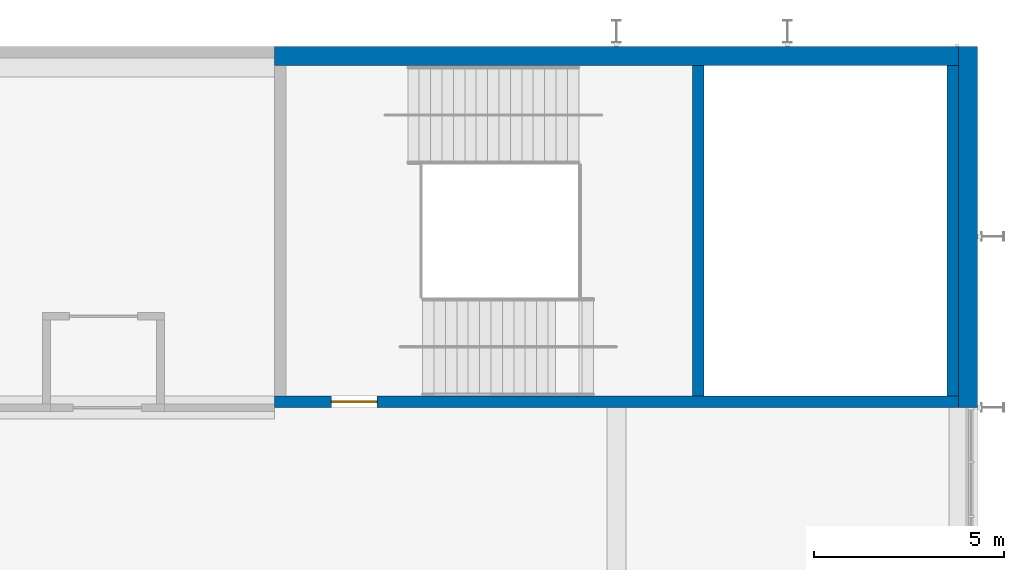
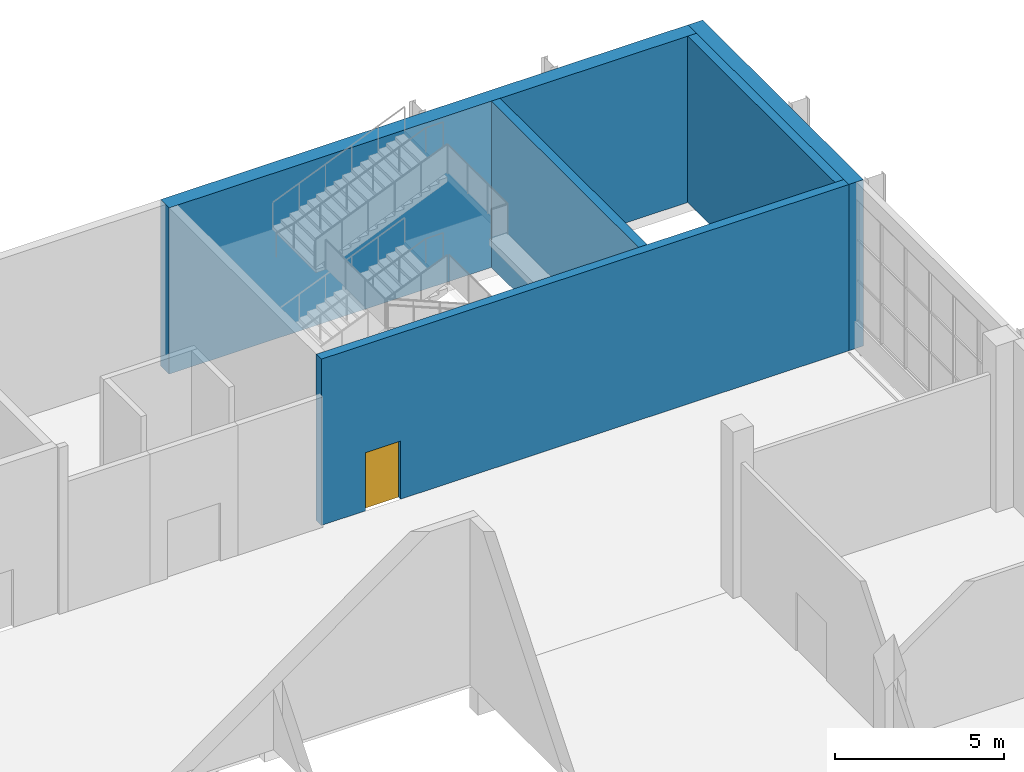
# One storey, part 49 of 89: 5 walls, 1 door, 1 opening.
"""IFC4 building model written with IfcOpenShell, lengths in metres."""

from ifc_helpers import new_model, si_unit, direction, frame, frame_2d, origin, place, context, subcontext, project, spatial, rectangle, extrude, material, layer, layer_set, type_object, element, fill, save


model = new_model("IFC4")

# Units and contexts
model_context = context("Model", 3, precision=1e-05, world=origin(), true_north=direction((0.0, 1.0)))
body_context = subcontext(model_context, "Body", "Model", "MODEL_VIEW")
ifc_project = project(units=[si_unit("LENGTHUNIT", "METRE"), si_unit("AREAUNIT", "SQUARE_METRE"), si_unit("VOLUMEUNIT", "CUBIC_METRE"), si_unit("PLANEANGLEUNIT", "RADIAN"), si_unit("MASSUNIT", "GRAM", prefix="KILO")], contexts=[model_context])

# Site, building, storey
site_placement = place(None, origin())
site = spatial("IfcSite", under=ifc_project, at=site_placement, CompositionType="ELEMENT")
building_placement = place(site_placement, origin())
building = spatial("IfcBuilding", under=site, at=building_placement, Name="Silverbay Arena", CompositionType="ELEMENT")
storey_placement = place(building_placement, frame((0.0, 0.0, 22.0)))
storey = spatial("IfcBuildingStorey", under=building, at=storey_placement, Name="L03", CompositionType="ELEMENT", Elevation=22.0)

# Wall, opening, door
ifc_material_1 = material(Name="Concrete Grade C45", Category="concrete")
ifc_layer_1 = layer(ifc_material_1, 0.300048828125)
ifc_layer_set_1 = layer_set([ifc_layer_1], Name="Concrete Grade C45")
wall_type_1 = type_object("IfcWallType", Name="Core wall RC 300 EI 120", PredefinedType="SHEAR", material=ifc_layer_set_1)
wall_1_placement = place(storey_placement, frame((189.0, 135.14990234375, 0.0), z_axis=(0.0, 0.0, 1.0), x_axis=(1.0, 0.0, 0.0)))
wall_1 = element("IfcWall", 1, at=wall_1_placement, inside=storey, type_object=wall_type_1, Name="Core wall ST-N6 L03 door side", PredefinedType="SHEAR", context=body_context, shape_type="SweptSolid", body=[
    extrude(rectangle(XDim=18.0, YDim=0.300048828125, at=frame_2d((9.0, 0.0))), origin(), (0.0, 0.0, 1.0), 6.0),
])
opening_placement = place(wall_1_placement, frame((1.5, 0.0, 0.0)))
opening = element("IfcOpeningElement", 2, at=opening_placement, cuts=wall_1, Name="Opening L03-064", PredefinedType="OPENING", context=body_context, shape_type="SweptSolid", body=[
    extrude(rectangle(XDim=1.199951171875, YDim=2.10009765625, at=frame_2d((0.60009765625, 1.050048828125))), frame((0.0, 0.16015625, 0.0), z_axis=(0.0, -1.0, 0.0), x_axis=(1.0, 0.0, 0.0)), (0.0, 0.0, 1.0), 0.320068359375),
])
ifc_material_2 = material(Name="Steel fire door", Category="steel")
door_type = type_object("IfcDoorType", Name="Stair door 1200 x 2100 fire door", OperationType="SINGLE_SWING_LEFT", PredefinedType="DOOR", material=ifc_material_2)
door_placement = place(opening_placement, origin())
door = element("IfcDoor", 3, at=door_placement, inside=storey, type_object=door_type, Name="Stair door ST-N6 L03", OperationType="SINGLE_SWING_LEFT", OverallHeight=2.10009765625, OverallWidth=1.199951171875, PredefinedType="DOOR", context=body_context, shape_type="SweptSolid", body=[
    extrude(rectangle(XDim=1.199951171875, YDim=2.10009765625, at=frame_2d((0.60009765625, 1.050048828125))), frame((0.0, 0.02490234375, 0.0), z_axis=(0.0, -1.0, 0.0), x_axis=(1.0, 0.0, 0.0)), (0.0, 0.0, 1.0), 0.050048828125),
])
fill(opening, door)

# Walls
for number, where, z_axis, x_axis, name in (
    (4, (206.85009765625, 135.300048828125, 0.0), (0.0, 0.0, 1.0), (0.0, 1.0, 0.0), "Core wall ST-N6 L03 end 2"),
    (5, (200.14990234375, 135.300048828125, 0.0), (0.0, 0.0, 1.0), (0.0, 1.0, 0.0), "Core wall ST-N6 L03 stair enclosure"),
):
    element("IfcWall", number, at=place(storey_placement, frame(where, z_axis=z_axis, x_axis=x_axis)), inside=storey, type_object=wall_type_1, Name=name, PredefinedType="SHEAR", context=body_context, shape_type="SweptSolid", body=[
        extrude(rectangle(XDim=8.699951171875, YDim=0.300048828125, at=frame_2d((4.35009765625, 0.0))), origin(), (0.0, 0.0, 1.0), 6.0),
    ])
ifc_material_3 = material(Name="Concrete Grade C45", Category="concrete")
ifc_layer_2 = layer(ifc_material_3, 0.5)
ifc_layer_set_2 = layer_set([ifc_layer_2], Name="Concrete Grade C45")
wall_type_2 = type_object("IfcWallType", Name="Core wall RC 500 external EI 120", PredefinedType="SHEAR", material=ifc_layer_set_2)
wall_2_placement = place(storey_placement, frame((189.0, 144.25, 0.0), z_axis=(0.0, 0.0, 1.0), x_axis=(1.0, 0.0, 0.0)))
element("IfcWall", 6, at=wall_2_placement, inside=storey, type_object=wall_type_2, Name="Core wall ST-N6 L03 facade side", PredefinedType="SHEAR", context=body_context, shape_type="SweptSolid", body=[
    extrude(rectangle(XDim=18.0, YDim=0.5, at=frame_2d((9.0, 0.0))), origin(), (0.0, 0.0, 1.0), 6.0),
])
ifc_material_4 = material(Name="Concrete Grade C45", Category="concrete")
ifc_layer_3 = layer(ifc_material_4, 0.5)
ifc_layer_set_3 = layer_set([ifc_layer_3], Name="Concrete Grade C45")
wall_type_3 = type_object("IfcWallType", Name="Stair core facade wall 500", PredefinedType="SOLIDWALL", material=ifc_layer_set_3)
wall_3_placement = place(storey_placement, frame((207.25, 135.0, 0.0), z_axis=(0.0, 0.0, 1.0), x_axis=(0.0, 1.0, 0.0)))
element("IfcWall", 7, at=wall_3_placement, inside=storey, type_object=wall_type_3, Name="East stair core facade wall L03 bay 14", PredefinedType="SOLIDWALL", context=body_context, shape_type="SweptSolid", body=[
    extrude(rectangle(XDim=9.5, YDim=0.5, at=frame_2d((4.75, 0.0))), origin(), (0.0, 0.0, 1.0), 6.0),
])

save(model, "model.ifc")
